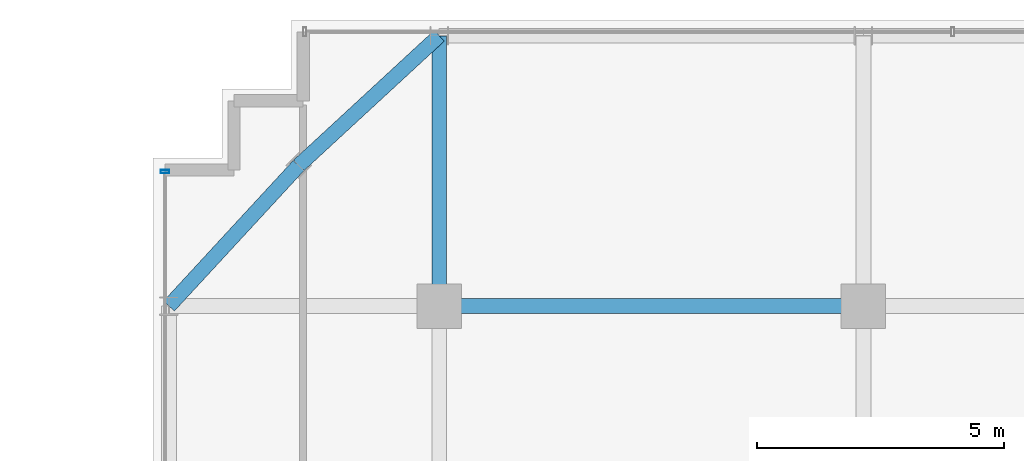
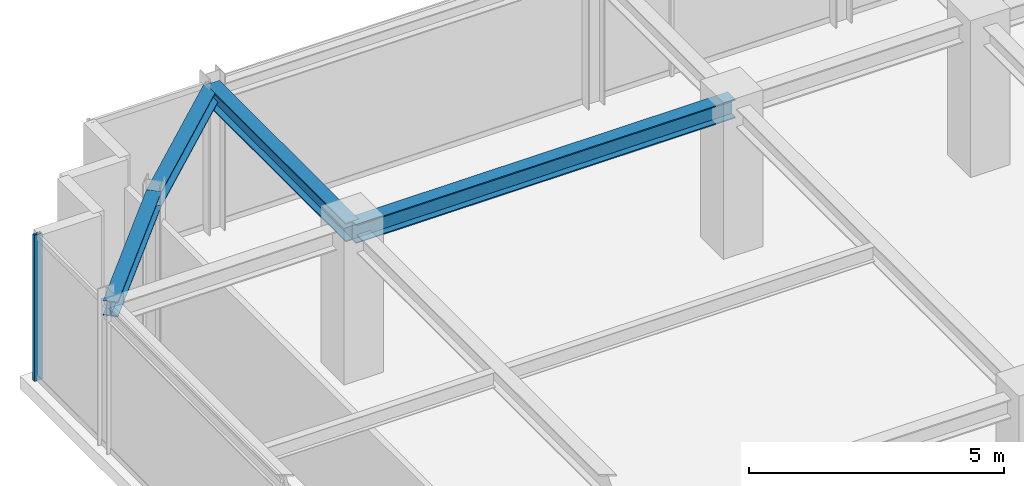
# One storey, part 18 of 31: 4 beams, 1 member, 1 element without a shape of its own.
"""IFC4 building model written with IfcOpenShell, lengths in metres."""

from ifc_helpers import new_model, si_unit, direction, frame, origin, origin_2d, place, context, subcontext, project, spatial, hollow_rectangle, i_section, extrude, source, transform, mapped, material, material_profile, profile_set, type_object, element, aggregate, save


model = new_model("IFC4")

# Units and contexts
model_context = context("Model", 3, precision=1e-05, world=origin(), true_north=direction((0.0, 1.0)))
body_context = subcontext(model_context, "Body", "Model", "MODEL_VIEW")
ifc_project = project(units=[si_unit("LENGTHUNIT", "METRE"), si_unit("AREAUNIT", "SQUARE_METRE"), si_unit("VOLUMEUNIT", "CUBIC_METRE"), si_unit("PLANEANGLEUNIT", "RADIAN"), si_unit("MASSUNIT", "GRAM", prefix="KILO")], contexts=[model_context])

# Site, building, storey
site_placement = place(None, origin())
site = spatial("IfcSite", under=ifc_project, at=site_placement, CompositionType="ELEMENT")
building_placement = place(site_placement, origin())
building = spatial("IfcBuilding", under=site, at=building_placement, Name="Nahalor Promenade Grand Hotel", CompositionType="ELEMENT")
storey_placement = place(building_placement, frame((0.0, 0.0, 323.35009765625)))
storey = spatial("IfcBuildingStorey", under=building, at=storey_placement, Name="L83", CompositionType="ELEMENT", Elevation=323.35009765625)

# Beams
ifc_material_1 = material(Name="Steel S355JR", Category="steel")
ifc_material_profile_1 = material_profile(ifc_material_1, i_section(OverallWidth=0.3, OverallDepth=0.45, WebThickness=0.014, FlangeThickness=0.026, at=origin_2d()), Name="HEB 450")
ifc_profile_set_1 = profile_set([ifc_material_profile_1], Name="Steel S355JR")
beam_type_1 = type_object("IfcBeamType", Name="Beam-Girder-HEB450", PredefinedType="BEAM", material=ifc_profile_set_1)
shared_shape_1 = source(origin(), body_context, "Body", "SweptSolid", [
    extrude(i_section(OverallWidth=0.3, OverallDepth=0.45, WebThickness=0.014, FlangeThickness=0.026, at=origin_2d()), origin(), (0.0, 0.0, 1.0), 8.60009765625),
])
beam_1_placement = place(storey_placement, frame((-17.0, 17.0, 3.27490234375), z_axis=(1.0, 0.0, 0.0), x_axis=(0.0, 1.0, 0.0)))
element("IfcBeam", 1, at=beam_1_placement, inside=storey, type_object=beam_type_1, Name="BM-L83-GX-3-1", PredefinedType="BEAM", context=body_context, shape_type="MappedRepresentation", body=[
    mapped(shared_shape_1, transform((0.0, 0.0, 0.0), scale=1.0)),
])
shared_shape_2 = source(origin(), body_context, "Body", "SweptSolid", [
    extrude(i_section(OverallWidth=0.3, OverallDepth=0.45, WebThickness=0.014, FlangeThickness=0.026, at=origin_2d()), origin(), (0.0, 0.0, 1.0), 5.47998046875),
])
beam_2_placement = place(storey_placement, frame((-17.0, 17.0, 3.27490234375), z_axis=(0.0, 1.0, 0.0), x_axis=(-1.0, 0.0, 0.0)))
element("IfcBeam", 2, at=beam_2_placement, inside=storey, type_object=beam_type_1, Name="BM-L83-GY-0-4", PredefinedType="BEAM", context=body_context, shape_type="MappedRepresentation", body=[
    mapped(shared_shape_2, transform((0.0, 0.0, 0.0), scale=1.0)),
])
ifc_material_profile_2 = material_profile(ifc_material_1, i_section(OverallWidth=0.3, OverallDepth=0.36, WebThickness=0.0125, FlangeThickness=0.0225, at=origin_2d()), Name="HEB 360")
ifc_profile_set_2 = profile_set([ifc_material_profile_2], Name="Steel S355JR")
beam_type_2 = type_object("IfcBeamType", Name="Beam-Spandrel-HEB360", PredefinedType="SPANDREL", material=ifc_profile_set_2)
shared_shape_3 = source(origin(), body_context, "Body", "SweptSolid", [
    extrude(i_section(OverallWidth=0.3, OverallDepth=0.36, WebThickness=0.0125, FlangeThickness=0.0225, at=origin_2d()), origin(), (0.0, 0.0, 1.0), 3.878173828125),
])
for number, where, z_axis, x_axis, name in (
    (3, (-17.0, 22.47998046875, 3.31982421875), (-0.73492893846, -0.678144125843, 0.0), (0.678144125843, -0.73492893846, 0.0), "BM-L83-SPC-NW-1"),
    (4, (-19.85009765625, 19.85009765625, 3.31982421875), (-0.678144125843, -0.73492893846, 0.0), (0.73492893846, -0.678144125843, 0.0), "BM-L83-SPC-NW-2"),
):
    element("IfcBeam", number, at=place(storey_placement, frame(where, z_axis=z_axis, x_axis=x_axis)), inside=storey, type_object=beam_type_2, Name=name, PredefinedType="SPANDREL", context=body_context, shape_type="MappedRepresentation", body=[
        mapped(shared_shape_3, transform((0.0, 0.0, 0.0), scale=1.0)),
    ])

# Curtain wall, member
ifc_material_2 = material(Name="Anodised Bronze Aluminium EN AW-6063 T6", Category="aluminium")
curtain_wall_type = type_object("IfcCurtainWallType", Name="CW2 Typical Hotel Flush Bronze Unitised Curtain Wall", PredefinedType="USERDEFINED", material=ifc_material_2)
curtain_wall_placement = place(storey_placement, origin())
curtain_wall = element("IfcCurtainWall", 5, at=curtain_wall_placement, inside=storey, type_object=curtain_wall_type, Name="L83 Curtain Wall CW-L83-W-3", ObjectType="UNITISED_CURTAIN_WALL", PredefinedType="USERDEFINED")
ifc_material_profile_3 = material_profile(ifc_material_2, hollow_rectangle(XDim=0.065, YDim=0.18, WallThickness=0.004, at=origin_2d()), Name="CWM 65x180x4")
ifc_profile_set_3 = profile_set([ifc_material_profile_3], Name="Anodised Bronze Aluminium EN AW-6063 T6")
member_type = type_object("IfcMemberType", Name="CWM2 Typical Bronze Mullion 65x180", PredefinedType="MULLION", material=ifc_profile_set_3)
shared_shape_4 = source(origin(), body_context, "Body", "SweptSolid", [
    extrude(hollow_rectangle(XDim=0.065, YDim=0.18, WallThickness=0.004, at=origin_2d()), origin(), (0.0, 0.0, 1.0), 3.5),
])
member_placement = place(storey_placement, frame((-22.56005859375, 19.7275390625, 0.0), z_axis=(0.0, 0.0, 1.0), x_axis=(0.0, 1.0, 0.0)))
member = element("IfcMember", 6, at=member_placement, type_object=member_type, Name="CW-L83-W-3 Mullion 2", PredefinedType="MULLION", context=body_context, shape_type="MappedRepresentation", body=[
    mapped(shared_shape_4, transform((0.0, 0.0, 0.0), scale=1.0)),
])
aggregate(curtain_wall, [member])

save(model, "model.ifc")
